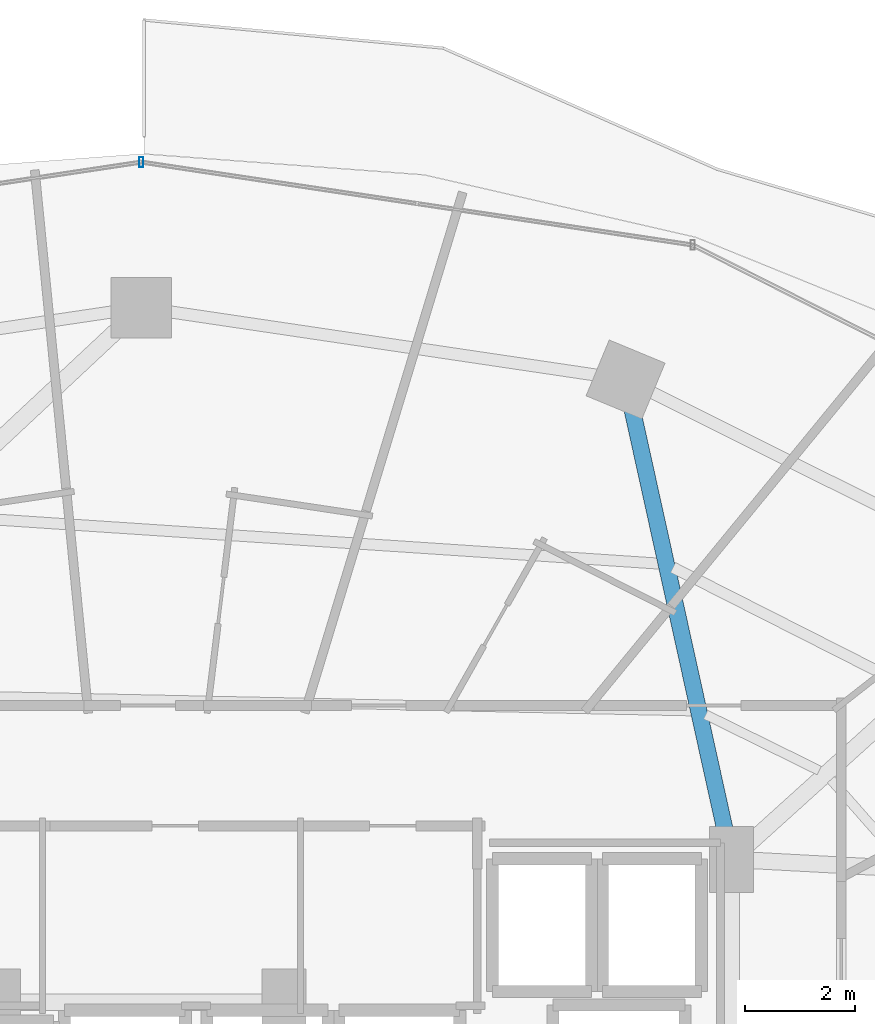
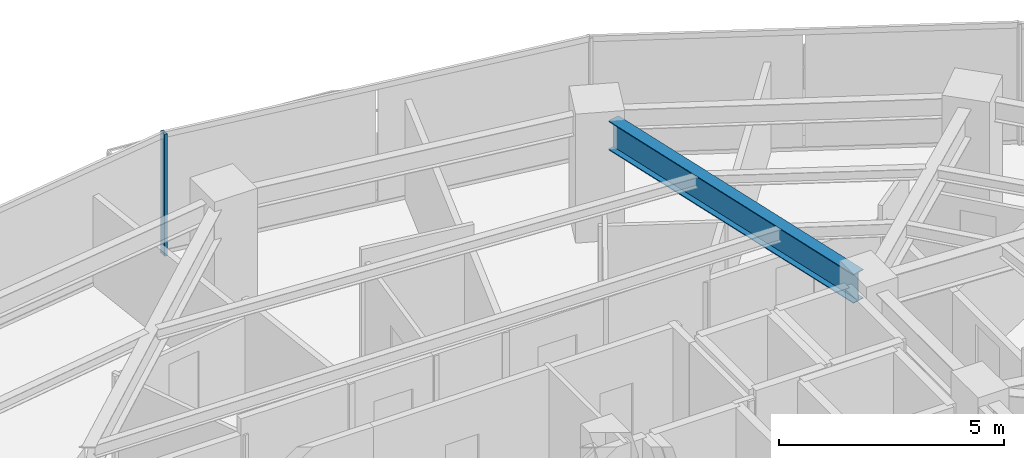
# One storey, part 19 of 29: 1 beam, 1 member, 1 element without a shape of its own.
"""IFC4 building model written with IfcOpenShell, lengths in metres."""

import ifcopenshell
import ifcopenshell.guid

model = None  # the IFC model being written
_history = None  # IfcOwnerHistory: only IFC2X3 demands one
_inside = {}  # id of a spatial element -> (the spatial element, [elements in it])
_under = {}  # id of a project, library or spatial element -> (it, [spatial elements below it])
_declared = {}  # id of a project -> (the project, [libraries it declares])
_typed = {}  # id of a type object -> (the type object, [elements of that type])
_made_of = {}  # id of a material, layer set ... -> (it, [elements and type objects made of it])


def new_model(schema):
    """Start an empty IFC model of exactly this schema.

    Asked for "IFC4X3", IfcOpenShell would pick the latest addendum, in which some entities
    have other attributes; the version numbers below select the first issue.
    IFC2X3 requires an IfcOwnerHistory on every rooted entity: one is made here for all.
    """
    global model, _history
    if schema == "IFC4X3":
        model = ifcopenshell.file(schema_version=(4, 3, 0, 0))
    else:
        model = ifcopenshell.file(schema=schema)
    _inside.clear()
    _under.clear()
    _declared.clear()
    _typed.clear()
    _made_of.clear()
    _history = None
    if model.schema == "IFC2X3":
        org = make("IfcOrganization", Name="unknown")
        user = make(
            "IfcPersonAndOrganization",
            ThePerson=make("IfcPerson", FamilyName="unknown"),
            TheOrganization=org,
        )
        app = make(
            "IfcApplication",
            ApplicationDeveloper=org,
            Version="unknown",
            ApplicationFullName="unknown",
            ApplicationIdentifier="unknown",
        )
        _history = make(
            "IfcOwnerHistory",
            OwningUser=user,
            OwningApplication=app,
            ChangeAction="ADDED",
            CreationDate=0,
        )
    return model


def make(cls, **values):
    """One entity of the class cls with the attributes given. An attribute that is None is left unset."""
    return model.create_entity(
        cls, **{name: value for name, value in values.items() if value is not None}
    )


def rooted(cls, **values):
    """An entity with a GlobalId (a new one), such as an element, a storey or a relation."""
    return make(cls, GlobalId=ifcopenshell.guid.new(), OwnerHistory=_history, **values)


def si_unit(unit_type, name, prefix=None):
    """IfcSIUnit, for example si_unit("LENGTHUNIT", "METRE", prefix="MILLI")."""
    return make("IfcSIUnit", UnitType=unit_type, Prefix=prefix, Name=name)


def assignment(units):
    """IfcUnitAssignment: the units of a project."""
    return None if units is None else make("IfcUnitAssignment", Units=units)


def point(xyz):
    """IfcCartesianPoint."""
    return None if xyz is None else make("IfcCartesianPoint", Coordinates=xyz)


def direction(xyz):
    """IfcDirection."""
    return None if xyz is None else make("IfcDirection", DirectionRatios=xyz)


def frame(location, z_axis=None, x_axis=None):
    """IfcAxis2Placement3D, a coordinate frame: its origin and axes. An axis left out is left unset."""
    return make(
        "IfcAxis2Placement3D",
        Location=point(location),
        Axis=direction(z_axis),
        RefDirection=direction(x_axis),
    )


def frame_2d(location, x_axis=None):
    """IfcAxis2Placement2D, a coordinate frame in the plane: its origin and x axis."""
    return make(
        "IfcAxis2Placement2D", Location=point(location), RefDirection=direction(x_axis)
    )


def origin():
    """The frame at (0, 0, 0) with its axes left unset."""
    return frame((0.0, 0.0, 0.0))


def origin_2d():
    """The frame at (0, 0) in the plane with its x axis left unset."""
    return frame_2d((0.0, 0.0))


def place(relative_to, where):
    """IfcLocalPlacement: puts the frame where relative to a parent placement (None: the world)."""
    return make(
        "IfcLocalPlacement", PlacementRelTo=relative_to, RelativePlacement=where
    )


def context(
    kind, dimensions, precision=None, world=None, true_north=None, identifier=None
):
    """IfcGeometricRepresentationContext, for example the 3D "Model" context."""
    return make(
        "IfcGeometricRepresentationContext",
        ContextIdentifier=identifier,
        ContextType=kind,
        CoordinateSpaceDimension=dimensions,
        Precision=precision,
        WorldCoordinateSystem=world,
        TrueNorth=true_north,
    )


def subcontext(parent, identifier, kind, view, scale=None):
    """IfcGeometricRepresentationSubContext, for example "Body" below "Model"."""
    return make(
        "IfcGeometricRepresentationSubContext",
        ContextIdentifier=identifier,
        ContextType=kind,
        ParentContext=parent,
        TargetScale=scale,
        TargetView=view,
    )


def project(units=None, contexts=None):
    """IfcProject with its units and contexts."""
    return rooted(
        "IfcProject",
        Name="project",
        RepresentationContexts=contexts,
        UnitsInContext=assignment(units),
    )


def spatial(cls, under=None, at=None, **own):
    """A site, building, storey or space (cls), placed at a placement, below another one or the project."""
    s = rooted(cls, ObjectPlacement=at, **own)
    if under is not None:
        _under.setdefault(under.id(), (under, []))[1].append(s)
    return s


def profile(cls, at=None, kind="AREA", **sizes):
    """A parametric profile (cls). Its sizes go by their IFC names, for example OverallWidth=200.0."""
    return make(cls, ProfileType=kind, Position=at, **sizes)


def hollow_rectangle(**sizes):
    """IfcRectangleHollowProfileDef."""
    return profile("IfcRectangleHollowProfileDef", **sizes)


def i_section(**sizes):
    """IfcIShapeProfileDef."""
    return profile("IfcIShapeProfileDef", **sizes)


def extrude(swept, where, along, depth):
    """IfcExtrudedAreaSolid: the profile swept, set in the frame where, extruded along a direction by depth."""
    return make(
        "IfcExtrudedAreaSolid",
        SweptArea=swept,
        Position=where,
        ExtrudedDirection=direction(along),
        Depth=depth,
    )


def shape(context_of_items, identifier, shape_type, items):
    """IfcShapeRepresentation: the items that make up one representation, for example the "Body"."""
    return make(
        "IfcShapeRepresentation",
        ContextOfItems=context_of_items,
        RepresentationIdentifier=identifier,
        RepresentationType=shape_type,
        Items=items,
    )


def material(Name=None, Category=None):
    """IfcMaterial."""
    return make("IfcMaterial", Name=Name, Category=Category)


def material_profile(
    of_material, cross_section, Name=None, Category=None, Priority=None
):
    """IfcMaterialProfile: a cross section and its material."""
    return make(
        "IfcMaterialProfile",
        Name=Name,
        Material=of_material,
        Profile=cross_section,
        Priority=Priority,
        Category=Category,
    )


def profile_set(profiles, Name=None, composite=None):
    """IfcMaterialProfileSet."""
    return make(
        "IfcMaterialProfileSet",
        Name=Name,
        MaterialProfiles=profiles,
        CompositeProfile=composite,
    )


def made_of(thing, what):
    """Note that an element or type object is made of a material, layer set ...; save() writes the relation."""
    if what is not None:
        _made_of.setdefault(what.id(), (what, []))[1].append(thing)
    return thing


def type_object(cls, material=None, **own):
    """A type object (cls), such as IfcWallType, which elements share."""
    return made_of(rooted(cls, **own), material)


def element(
    cls,
    number,
    at=None,
    inside=None,
    cuts=None,
    type_object=None,
    material=None,
    context=None,
    identifier="Body",
    shape_type=None,
    held_by="IfcProductDefinitionShape",
    body=None,
    shapes=None,
    **own,
):
    """One element of the class cls, such as IfcWall. Its Tag is "e" and its number.

    at: its placement. inside: the storey or other place that contains it. cuts: it is an
    opening in that element (IfcRelVoidsElement). A single representation is given by context,
    identifier, shape_type and body (its items); several are given by shapes. held_by: the class
    of the entity that holds the representations. save() writes the other relations.
    """
    e = rooted(cls, Tag="e%d" % number, ObjectPlacement=at, **own)
    if body is not None:
        shapes = [shape(context, identifier, shape_type, body)]
    if shapes is not None:
        e.Representation = make(held_by, Representations=shapes)
    if inside is not None:
        _inside.setdefault(inside.id(), (inside, []))[1].append(e)
    if cuts is not None:
        rooted(
            "IfcRelVoidsElement", RelatingBuildingElement=cuts, RelatedOpeningElement=e
        )
    if type_object is not None:
        _typed.setdefault(type_object.id(), (type_object, []))[1].append(e)
    return made_of(e, material)


def aggregate(whole, parts):
    """IfcRelAggregates: a whole, such as a stair, and the parts it consists of."""
    return rooted("IfcRelAggregates", RelatingObject=whole, RelatedObjects=parts)


def save(model, path):
    """Write the relations noted so far, then the file.

    IfcRelAggregates (storeys below a building ...), IfcRelContainedInSpatialStructure (elements
    in a storey), IfcRelDefinesByType, IfcRelAssociatesMaterial and IfcRelDeclares: one each for
    every whole, place, type object, material and project.
    """
    for whole, parts in _under.values():
        aggregate(whole, parts)
    for where, things in _inside.values():
        rooted(
            "IfcRelContainedInSpatialStructure",
            RelatedElements=things,
            RelatingStructure=where,
        )
    for kind, things in _typed.values():
        rooted("IfcRelDefinesByType", RelatedObjects=things, RelatingType=kind)
    for what, things in _made_of.values():
        rooted("IfcRelAssociatesMaterial", RelatedObjects=things, RelatingMaterial=what)
    for by, libraries in _declared.values():
        rooted("IfcRelDeclares", RelatingContext=by, RelatedDefinitions=libraries)
    model.write(path)


model = new_model("IFC4")

# Units and contexts
model_context = context("Model", 3, precision=1e-05, world=origin(), true_north=direction((0.0, 1.0)))
body_context = subcontext(model_context, "Body", "Model", "MODEL_VIEW")
ifc_project = project(units=[si_unit("LENGTHUNIT", "METRE"), si_unit("AREAUNIT", "SQUARE_METRE"), si_unit("VOLUMEUNIT", "CUBIC_METRE"), si_unit("PLANEANGLEUNIT", "RADIAN"), si_unit("MASSUNIT", "GRAM", prefix="KILO")], contexts=[model_context])

# Site, building, storey
site_placement = place(None, origin())
site = spatial("IfcSite", under=ifc_project, at=site_placement, CompositionType="ELEMENT")
building_placement = place(site_placement, origin())
building = spatial("IfcBuilding", under=site, at=building_placement, Name="Vorneva Point Tower", CompositionType="ELEMENT")
storey_placement = place(building_placement, frame((0.0, 0.0, 117.300048828125)))
storey = spatial("IfcBuildingStorey", under=building, at=storey_placement, Name="L31", CompositionType="ELEMENT", Elevation=117.300048828125)

# Beam
ifc_material_1 = material(Name="Steel S355", Category="steel")
ifc_material_profile_1 = material_profile(ifc_material_1, i_section(OverallWidth=0.300048828125, OverallDepth=0.7880859375, WebThickness=0.014404296875, FlangeThickness=0.02197265625, at=origin_2d()), Name="80Sh1")
ifc_profile_set_1 = profile_set([ifc_material_profile_1], Name="Steel S355")
beam_type = type_object("IfcBeamType", Name="BM-GRD-80Sh1", PredefinedType="USERDEFINED", material=ifc_profile_set_1)
beam_placement = place(storey_placement, frame((46.936767578125, 41.365234375, 2.845947265625), z_axis=(0.215530944428, -0.976497010745, 0.0), x_axis=(0.976497010745, 0.215530944428, 0.0)))
element("IfcBeam", 1, at=beam_placement, inside=storey, type_object=beam_type, Name="L31 Radial Primary Girder 04", ObjectType="GIRDER", PredefinedType="USERDEFINED", context=body_context, shape_type="SweptSolid", body=[
    extrude(i_section(OverallWidth=0.300048828125, OverallDepth=0.7880859375, WebThickness=0.014404296875, FlangeThickness=0.02197265625, at=origin_2d()), origin(), (0.0, 0.0, 1.0), 8.072998046875),
])

# Curtain wall, member
ifc_material_2 = material(Name="Pale anodised aluminium", Category="aluminium")
curtain_wall_type = type_object("IfcCurtainWallType", Name="CW-HTL-SYS", PredefinedType="NOTDEFINED", material=ifc_material_2)
curtain_wall_placement = place(storey_placement, origin())
curtain_wall = element("IfcCurtainWall", 2, at=curtain_wall_placement, inside=storey, type_object=curtain_wall_type, Name="L31 Unitised Curtain Wall CW-L31-R01", PredefinedType="NOTDEFINED")
ifc_material_profile_2 = material_profile(ifc_material_2, hollow_rectangle(XDim=0.074951171875, YDim=0.179931640625, WallThickness=0.00390625, at=origin_2d()), Name="AL-MUL 180x75x4")
ifc_profile_set_2 = profile_set([ifc_material_profile_2], Name="Pale anodised aluminium")
member_type = type_object("IfcMemberType", Name="CW-MUL-180", PredefinedType="MULLION", material=ifc_profile_set_2)
member_placement = place(storey_placement, frame((38.0, 45.85009765625, -0.0400390625), z_axis=(0.0, 0.0, 1.0), x_axis=(1.0, 0.0, 0.0)))
member = element("IfcMember", 3, at=member_placement, type_object=member_type, Name="CW-L31-R01 Mullion 04", PredefinedType="MULLION", context=body_context, shape_type="SweptSolid", body=[
    extrude(hollow_rectangle(XDim=0.074951171875, YDim=0.179931640625, WallThickness=0.00390625, at=origin_2d()), origin(), (0.0, 0.0, 1.0), 3.31005859375),
])
aggregate(curtain_wall, [member])

save(model, "model.ifc")
